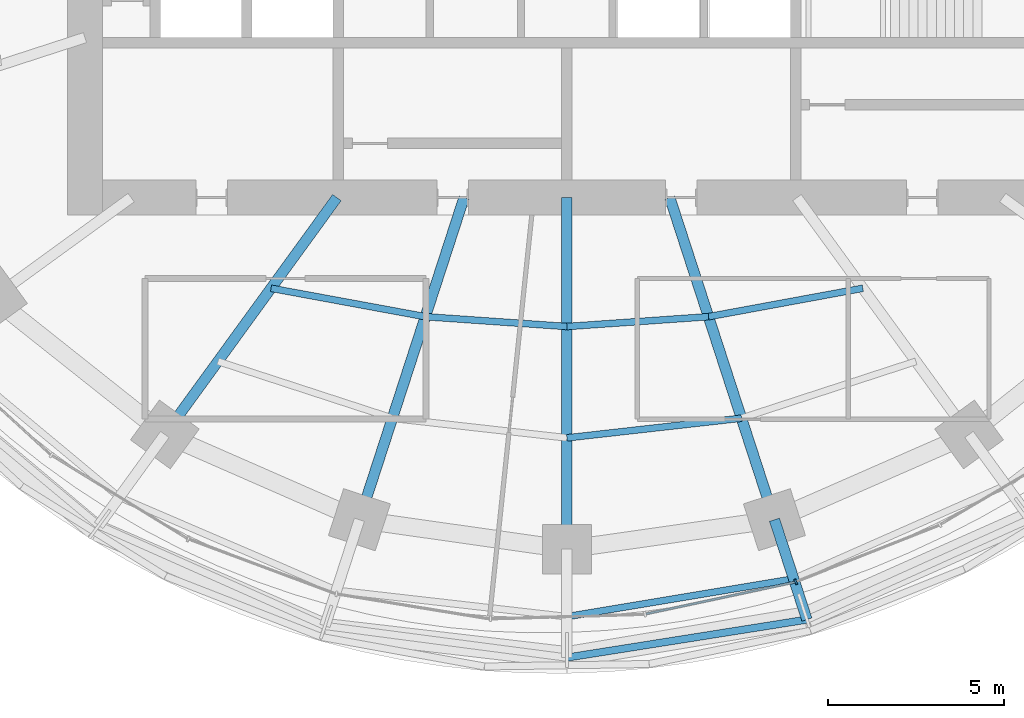
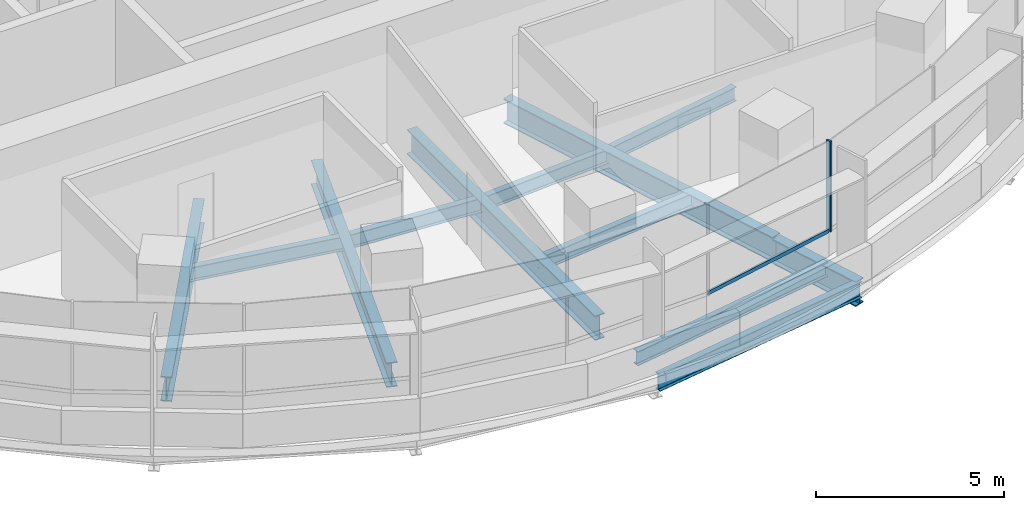
# One storey, part 3 of 17: 12 beams, 2 members, 1 element without a shape of its own.
"""IFC4 building model written with IfcOpenShell, lengths in metres."""

from ifc_helpers import new_model, si_unit, direction, frame, origin, origin_2d, place, context, subcontext, project, spatial, rectangle, i_section, extrude, material, material_profile, profile_set, type_object, element, aggregate, save


model = new_model("IFC4")

# Units and contexts
model_context = context("Model", 3, precision=1e-05, world=origin(), true_north=direction((0.0, 1.0)))
body_context = subcontext(model_context, "Body", "Model", "MODEL_VIEW")
ifc_project = project(units=[si_unit("LENGTHUNIT", "METRE"), si_unit("AREAUNIT", "SQUARE_METRE"), si_unit("VOLUMEUNIT", "CUBIC_METRE"), si_unit("PLANEANGLEUNIT", "RADIAN"), si_unit("MASSUNIT", "GRAM", prefix="KILO")], contexts=[model_context])

# Site, building, storey
site_placement = place(None, origin())
site = spatial("IfcSite", under=ifc_project, at=site_placement, CompositionType="ELEMENT")
building_placement = place(site_placement, origin())
building = spatial("IfcBuilding", under=site, at=building_placement, Name="Marramba Exchange Tower", CompositionType="ELEMENT")
storey_placement = place(building_placement, frame((0.0, 0.0, 172.10009765625)))
storey = spatial("IfcBuildingStorey", under=building, at=storey_placement, Name="L41", CompositionType="ELEMENT", Elevation=172.10009765625)

# Beams
ifc_material_1 = material(Name="Steel AS/NZS 3679.2 grade 300", Category="steel")
ifc_material_profile_1 = material_profile(ifc_material_1, i_section(OverallWidth=0.300048828125, OverallDepth=0.800048828125, WebThickness=0.013916015625, FlangeThickness=0.031982421875, at=origin_2d()), Name="800WB192")
ifc_profile_set_1 = profile_set([ifc_material_profile_1], Name="Steel AS/NZS 3679.2 grade 300")
beam_type_1 = type_object("IfcBeamType", Name="Cantilever girder 800WB192", PredefinedType="BEAM", material=ifc_profile_set_1)
beam_1_placement = place(storey_placement, frame((5.899658203125, -18.156982421875, -0.650146484375), z_axis=(0.30903246226, -0.951051490336, 0.0), x_axis=(0.951051490336, 0.30903246226, 0.0)))
element("IfcBeam", 1, at=beam_1_placement, inside=storey, type_object=beam_type_1, Name="Cantilever girder L41 TC17", PredefinedType="BEAM", context=body_context, shape_type="SweptSolid", body=[
    extrude(i_section(OverallWidth=0.300048828125, OverallDepth=0.800048828125, WebThickness=0.013916015625, FlangeThickness=0.031982421875, at=origin_2d()), origin(), (0.0, 0.0, 1.0), 2.986328125),
])
ifc_material_2 = material(Name="Steel AS/NZS 3679.1 grade 300", Category="steel")
ifc_material_profile_2 = material_profile(ifc_material_2, i_section(OverallWidth=0.19091796875, OverallDepth=0.4599609375, WebThickness=0.010009765625, FlangeThickness=0.01611328125, FilletRadius=0.011474609375, at=origin_2d()), Name="460UB82.1")
ifc_profile_set_2 = profile_set([ifc_material_profile_2], Name="Steel AS/NZS 3679.1 grade 300")
beam_type_2 = type_object("IfcBeamType", Name="Floor joist 460UB82.1", PredefinedType="JOIST", material=ifc_profile_set_2)
beam_2_placement = place(storey_placement, frame((-8.41162109375, -11.57763671875, -0.43017578125), z_axis=(0.983455754421, -0.181148500119, 0.0), x_axis=(0.181148500119, 0.983455754421, 0.0)))
element("IfcBeam", 2, at=beam_2_placement, inside=storey, type_object=beam_type_2, Name="Joist L41 bay 14 row 1", PredefinedType="JOIST", context=body_context, shape_type="SweptSolid", body=[
    extrude(i_section(OverallWidth=0.19091796875, OverallDepth=0.4599609375, WebThickness=0.010009765625, FlangeThickness=0.01611328125, FilletRadius=0.011474609375, at=origin_2d()), origin(), (0.0, 0.0, 1.0), 4.4609375),
])
for number, where, z_axis, x_axis, name in (
    (3, (-4.0244140625, -12.3857421875, -0.43017578125), (0.99759625901, -0.069294328838, 0.0), (0.069294328838, 0.99759625901, 0.0), "Joist L41 bay 15 row 1"),
    (4, (0.0, -12.665283203125, -0.43017578125), (0.99759625901, 0.069294328838, 0.0), (-0.069294328838, 0.99759625901, 0.0), "Joist L41 bay 16 row 1"),
):
    element("IfcBeam", number, at=place(storey_placement, frame(where, z_axis=z_axis, x_axis=x_axis)), inside=storey, type_object=beam_type_2, Name=name, PredefinedType="JOIST", context=body_context, shape_type="SweptSolid", body=[
        extrude(i_section(OverallWidth=0.19091796875, OverallDepth=0.4599609375, WebThickness=0.010009765625, FlangeThickness=0.01611328125, FilletRadius=0.011474609375, at=origin_2d()), origin(), (0.0, 0.0, 1.0), 4.0341796875),
    ])
beam_3_placement = place(storey_placement, frame((0.0, -15.83056640625, -0.43017578125), z_axis=(0.993712018573, 0.111966174106, 0.0), x_axis=(-0.111966174106, 0.993712018573, 0.0)))
element("IfcBeam", 5, at=beam_3_placement, inside=storey, type_object=beam_type_2, Name="Joist L41 bay 16 row 2", PredefinedType="JOIST", context=body_context, shape_type="SweptSolid", body=[
    extrude(i_section(OverallWidth=0.19091796875, OverallDepth=0.4599609375, WebThickness=0.010009765625, FlangeThickness=0.01611328125, FilletRadius=0.011474609375, at=origin_2d()), origin(), (0.0, 0.0, 1.0), 4.993408203125),
])
beam_4_placement = place(storey_placement, frame((4.0244140625, -12.3857421875, -0.43017578125), z_axis=(0.983455754421, 0.181148500119, 0.0), x_axis=(-0.181148500119, 0.983455754421, 0.0)))
element("IfcBeam", 6, at=beam_4_placement, inside=storey, type_object=beam_type_2, Name="Joist L41 bay 17 row 1", PredefinedType="JOIST", context=body_context, shape_type="SweptSolid", body=[
    extrude(i_section(OverallWidth=0.19091796875, OverallDepth=0.4599609375, WebThickness=0.010009765625, FlangeThickness=0.01611328125, FilletRadius=0.011474609375, at=origin_2d()), origin(), (0.0, 0.0, 1.0), 4.4609375),
])

# Curtain wall, members
ifc_material_3 = material(Name="Aluminium framing, bronze anodised", Category="aluminium")
curtain_wall_type = type_object("IfcCurtainWallType", Name="Office ribbon curtain wall", PredefinedType="USERDEFINED", material=ifc_material_3)
curtain_wall_placement = place(storey_placement, origin())
curtain_wall = element("IfcCurtainWall", 7, at=curtain_wall_placement, inside=storey, type_object=curtain_wall_type, Name="Curtain wall CW4 L41 F21-F25", ObjectType="RIBBON CURTAIN WALL", PredefinedType="USERDEFINED")
ifc_material_4 = material(Name="Aluminium mullion, bronze anodised", Category="aluminium")
ifc_material_profile_3 = material_profile(ifc_material_4, rectangle(XDim=0.159912109375, YDim=0.06005859375, at=origin_2d()), Name="CW4 mullion 60x160")
ifc_profile_set_3 = profile_set([ifc_material_profile_3], Name="Aluminium mullion, bronze anodised")
member_type_1 = type_object("IfcMemberType", Name="Office ribbon curtain wall mullion", PredefinedType="MULLION", material=ifc_profile_set_3)
member_1_placement = place(storey_placement, frame((6.504638671875, -19.922607421875, 0.7998046875), z_axis=(0.0, 0.0, 1.0), x_axis=(-0.367374724195, 0.93007301435, 0.0)))
member_1 = element("IfcMember", 8, at=member_1_placement, type_object=member_type_1, Name="CW4 mullion 1", PredefinedType="MULLION", context=body_context, shape_type="SweptSolid", body=[
    extrude(rectangle(XDim=0.159912109375, YDim=0.06005859375, at=origin_2d()), origin(), (0.0, 0.0, 1.0), 2.940185546875),
])
ifc_material_5 = material(Name="Aluminium transom, bronze anodised", Category="aluminium")
ifc_material_profile_4 = material_profile(ifc_material_5, rectangle(XDim=0.06005859375, YDim=0.1201171875, at=origin_2d()), Name="CW4 transom 60x120")
ifc_profile_set_4 = profile_set([ifc_material_profile_4], Name="Aluminium transom, bronze anodised")
member_type_2 = type_object("IfcMemberType", Name="Office ribbon curtain wall transom", PredefinedType="USERDEFINED", material=ifc_profile_set_4)
member_2_placement = place(storey_placement, frame((2.249755859375, -20.833984375, 0.829833984375), z_axis=(0.978057951839, 0.208333009494, 0.0), x_axis=(-0.208333009494, 0.978057951839, 0.0)))
member_2 = element("IfcMember", 9, at=member_2_placement, type_object=member_type_2, Name="CW4 sill transom", ObjectType="TRANSOM", PredefinedType="USERDEFINED", context=body_context, shape_type="SweptSolid", body=[
    extrude(rectangle(XDim=0.06005859375, YDim=0.1201171875, at=origin_2d()), origin(), (0.0, 0.0, 1.0), 4.32177734375),
])
aggregate(curtain_wall, [member_2, member_1])

# Beams
ifc_material_profile_5 = material_profile(ifc_material_1, i_section(OverallWidth=0.300048828125, OverallDepth=0.800048828125, WebThickness=0.013916015625, FlangeThickness=0.031982421875, at=origin_2d()), Name="800WB192")
ifc_profile_set_5 = profile_set([ifc_material_profile_5], Name="Steel AS/NZS 3679.2 grade 300")
beam_type_3 = type_object("IfcBeamType", Name="Radial girder 800WB192", PredefinedType="BEAM", material=ifc_profile_set_5)
beam_5_placement = place(storey_placement, frame((-6.538818359375, -9.0, -0.60009765625), z_axis=(-0.587787877172, -0.809015087282, 0.0), x_axis=(0.809015087282, -0.587787877172, 0.0)))
element("IfcBeam", 10, at=beam_5_placement, inside=storey, type_object=beam_type_3, Name="Radial girder L41 TC14", PredefinedType="BEAM", context=body_context, shape_type="SweptSolid", body=[
    extrude(i_section(OverallWidth=0.300048828125, OverallDepth=0.800048828125, WebThickness=0.013916015625, FlangeThickness=0.031982421875, at=origin_2d()), origin(), (0.0, 0.0, 1.0), 8.322021484375),
])
beam_6_placement = place(storey_placement, frame((-2.92431640625, -9.0, -0.60009765625), z_axis=(-0.309022428985, -0.951054750466, 0.0), x_axis=(0.951054750466, -0.309022428985, 0.0)))
element("IfcBeam", 11, at=beam_6_placement, inside=storey, type_object=beam_type_3, Name="Radial girder L41 TC15", PredefinedType="BEAM", context=body_context, shape_type="SweptSolid", body=[
    extrude(i_section(OverallWidth=0.300048828125, OverallDepth=0.800048828125, WebThickness=0.013916015625, FlangeThickness=0.031982421875, at=origin_2d()), origin(), (0.0, 0.0, 1.0), 9.628173828125),
])
beam_7_placement = place(storey_placement, frame((0.0, -9.0, -0.60009765625), z_axis=(0.0, -1.0, 0.0), x_axis=(1.0, 0.0, 0.0)))
element("IfcBeam", 12, at=beam_7_placement, inside=storey, type_object=beam_type_3, Name="Radial girder L41 TC16", PredefinedType="BEAM", context=body_context, shape_type="SweptSolid", body=[
    extrude(i_section(OverallWidth=0.300048828125, OverallDepth=0.800048828125, WebThickness=0.013916015625, FlangeThickness=0.031982421875, at=origin_2d()), origin(), (0.0, 0.0, 1.0), 9.99609375),
])
beam_8_placement = place(storey_placement, frame((2.92431640625, -9.0, -0.60009765625), z_axis=(0.309022428985, -0.951054750466, 0.0), x_axis=(0.951054750466, 0.309022428985, 0.0)))
element("IfcBeam", 13, at=beam_8_placement, inside=storey, type_object=beam_type_3, Name="Radial girder L41 TC17", PredefinedType="BEAM", context=body_context, shape_type="SweptSolid", body=[
    extrude(i_section(OverallWidth=0.300048828125, OverallDepth=0.800048828125, WebThickness=0.013916015625, FlangeThickness=0.031982421875, at=origin_2d()), origin(), (0.0, 0.0, 1.0), 9.628173828125),
])
ifc_material_profile_6 = material_profile(ifc_material_2, i_section(OverallWidth=0.19091796875, OverallDepth=0.4599609375, WebThickness=0.010009765625, FlangeThickness=0.01611328125, FilletRadius=0.011474609375, at=origin_2d()), Name="460UB82.1")
ifc_profile_set_6 = profile_set([ifc_material_profile_6], Name="Steel AS/NZS 3679.1 grade 300")
beam_type_4 = type_object("IfcBeamType", Name="Slab edge beam 460UB82.1", PredefinedType="SPANDREL", material=ifc_profile_set_6)
beam_9_placement = place(storey_placement, frame((0.0, -20.913818359375, -0.43017578125), z_axis=(0.986365637189, 0.164568617219, 0.0), x_axis=(-0.164568617219, 0.986365637189, 0.0)))
element("IfcBeam", 14, at=beam_9_placement, inside=storey, type_object=beam_type_4, Name="Slab edge beam L41 TC16-TC17", PredefinedType="SPANDREL", context=body_context, shape_type="SweptSolid", body=[
    extrude(i_section(OverallWidth=0.19091796875, OverallDepth=0.4599609375, WebThickness=0.010009765625, FlangeThickness=0.01611328125, FilletRadius=0.011474609375, at=origin_2d()), origin(), (0.0, 0.0, 1.0), 6.534912109375),
])
ifc_material_profile_7 = material_profile(ifc_material_2, i_section(OverallWidth=0.208984375, OverallDepth=0.528076171875, WebThickness=0.009521484375, FlangeThickness=0.01318359375, FilletRadius=0.013916015625, at=origin_2d()), Name="530UB82.0")
ifc_profile_set_7 = profile_set([ifc_material_profile_7], Name="Steel AS/NZS 3679.1 grade 300")
beam_type_5 = type_object("IfcBeamType", Name="Slab edge beam 530UB82.0", PredefinedType="SPANDREL", material=ifc_profile_set_7)
beam_10_placement = place(storey_placement, frame((0.0, -22.076904296875, -0.51416015625), z_axis=(0.987705008555, 0.15632919137, 0.0), x_axis=(-0.15632919137, 0.987705008555, 0.0)))
element("IfcBeam", 15, at=beam_10_placement, inside=storey, type_object=beam_type_5, Name="Setback roof edge beam L41 TC16-TC17", PredefinedType="SPANDREL", context=body_context, shape_type="SweptSolid", body=[
    extrude(i_section(OverallWidth=0.208984375, OverallDepth=0.528076171875, WebThickness=0.009521484375, FlangeThickness=0.01318359375, FilletRadius=0.013916015625, at=origin_2d()), origin(), (0.0, 0.0, 1.0), 6.907470703125),
])

save(model, "model.ifc")
